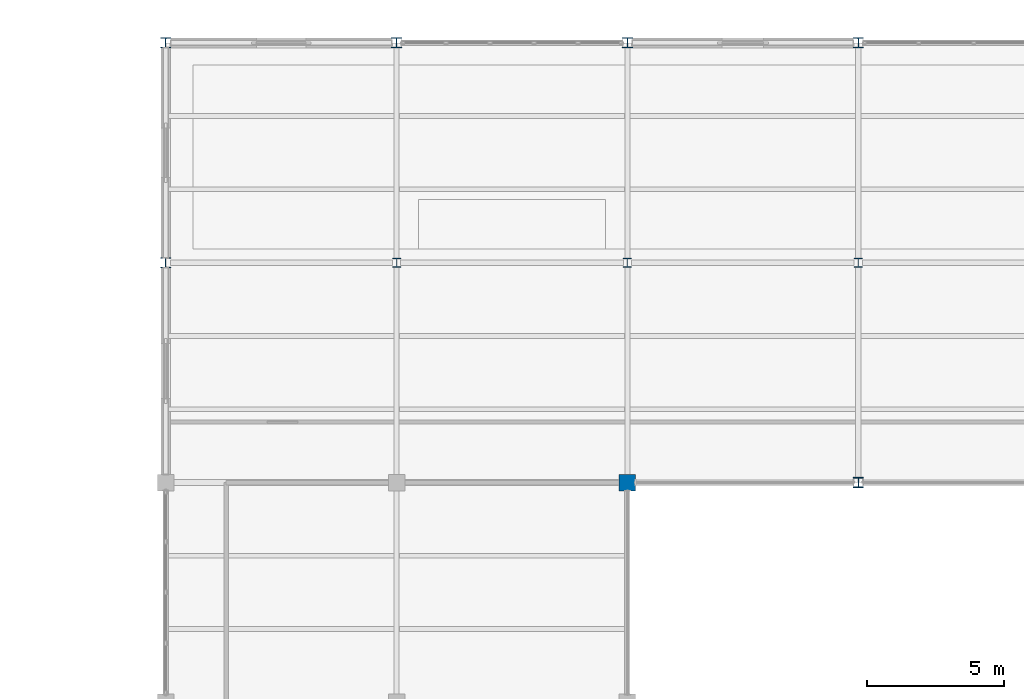
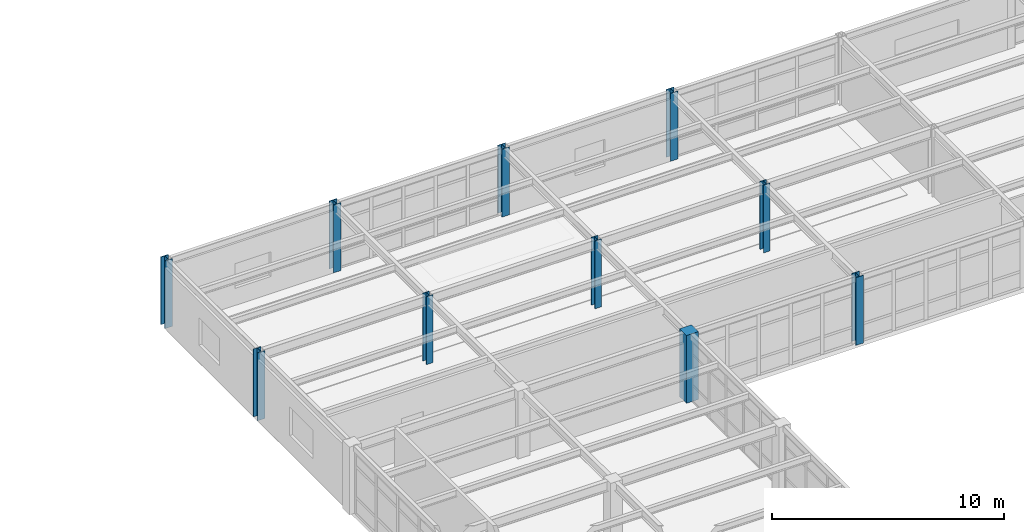
# One storey, part 7 of 96: 10 columns.
"""IFC4 building model written with IfcOpenShell, lengths in metres."""

from ifc_helpers import new_model, si_unit, direction, frame, origin, origin_2d, place, context, subcontext, project, spatial, rectangle, i_section, extrude, material, material_profile, profile_set, type_object, element, save


model = new_model("IFC4")

# Units and contexts
model_context = context("Model", 3, precision=1e-05, world=origin(), true_north=direction((0.0, 1.0)))
body_context = subcontext(model_context, "Body", "Model", "MODEL_VIEW")
ifc_project = project(units=[si_unit("LENGTHUNIT", "METRE"), si_unit("AREAUNIT", "SQUARE_METRE"), si_unit("VOLUMEUNIT", "CUBIC_METRE"), si_unit("PLANEANGLEUNIT", "RADIAN"), si_unit("MASSUNIT", "GRAM", prefix="KILO")], contexts=[model_context])

# Site, building, storey
site_placement = place(None, origin())
site = spatial("IfcSite", under=ifc_project, at=site_placement, CompositionType="ELEMENT")
building_placement = place(site_placement, origin())
building = spatial("IfcBuilding", under=site, at=building_placement, Name="Kranzveld Transit Interchange", CompositionType="ELEMENT")
storey_placement = place(building_placement, frame((0.0, 0.0, 9.52001953125)))
storey = spatial("IfcBuildingStorey", under=building, at=storey_placement, Name="L02", CompositionType="ELEMENT", Elevation=9.52001953125)

# Columns
ifc_material_1 = material(Name="Concrete C35/45", Category="concrete")
ifc_material_profile_1 = material_profile(ifc_material_1, rectangle(XDim=0.60009765625, YDim=0.60009765625, at=origin_2d()), Name="RC 600x600")
ifc_profile_set_1 = profile_set([ifc_material_profile_1], Name="Concrete C35/45")
column_type_1 = type_object("IfcColumnType", Name="Column RC 600x600 C35/45", PredefinedType="COLUMN", material=ifc_profile_set_1)
column_placement = place(storey_placement, frame((117.60009765625, 96.0, 0.0), z_axis=(0.0, 0.0, 1.0), x_axis=(1.0, 0.0, 0.0)))
element("IfcColumn", 1, at=column_placement, inside=storey, type_object=column_type_1, Name="L02 Column 15/N", PredefinedType="COLUMN", context=body_context, shape_type="SweptSolid", body=[
    extrude(rectangle(XDim=0.60009765625, YDim=0.60009765625, at=origin_2d()), origin(), (0.0, 0.0, 1.0), 3.570068359375),
])
ifc_material_2 = material(Name="Steel S355JR", Category="steel")
ifc_material_profile_2 = material_profile(ifc_material_2, i_section(OverallWidth=0.314453125, OverallDepth=0.33984375, WebThickness=0.01904296875, FlangeThickness=0.031494140625, FilletRadius=0.01513671875, at=origin_2d()), Name="UC 305x305x198")
ifc_profile_set_2 = profile_set([ifc_material_profile_2], Name="Steel S355JR")
column_type_2 = type_object("IfcColumnType", Name="Column Steel UC 305x305x198 S355JR", PredefinedType="COLUMN", material=ifc_profile_set_2)
for number, where, z_axis, x_axis, name in (
    (2, (109.199951171875, 104.0, 0.0), (0.0, 0.0, 1.0), (1.0, 0.0, 0.0), "L02 Column 14/P"),
    (3, (117.60009765625, 104.0, 0.0), (0.0, 0.0, 1.0), (1.0, 0.0, 0.0), "L02 Column 15/P"),
    (4, (126.0, 104.0, 0.0), (0.0, 0.0, 1.0), (1.0, 0.0, 0.0), "L02 Column 16/P"),
):
    element("IfcColumn", number, at=place(storey_placement, frame(where, z_axis=z_axis, x_axis=x_axis)), inside=storey, type_object=column_type_2, Name=name, PredefinedType="COLUMN", context=body_context, shape_type="SweptSolid", body=[
        extrude(i_section(OverallWidth=0.314453125, OverallDepth=0.33984375, WebThickness=0.01904296875, FlangeThickness=0.031494140625, FilletRadius=0.01513671875, at=origin_2d()), origin(), (0.0, 0.0, 1.0), 3.570068359375),
    ])
ifc_material_3 = material(Name="Steel S355JR", Category="steel")
ifc_material_profile_3 = material_profile(ifc_material_3, i_section(OverallWidth=0.374755859375, OverallDepth=0.37451171875, WebThickness=0.0166015625, FlangeThickness=0.027099609375, FilletRadius=0.01513671875, at=origin_2d()), Name="UC 356x368x202")
ifc_profile_set_3 = profile_set([ifc_material_profile_3], Name="Steel S355JR")
column_type_3 = type_object("IfcColumnType", Name="Column Steel UC 356x368x202 S355JR", PredefinedType="COLUMN", material=ifc_profile_set_3)
for number, where, z_axis, x_axis, name in (
    (5, (100.800048828125, 104.0, 0.0), (0.0, 0.0, 1.0), (1.0, 0.0, 0.0), "L02 Column 13/P"),
    (6, (100.800048828125, 112.0, 0.0), (0.0, 0.0, 1.0), (1.0, 0.0, 0.0), "L02 Column 13/Q"),
    (7, (109.199951171875, 112.0, 0.0), (0.0, 0.0, 1.0), (1.0, 0.0, 0.0), "L02 Column 14/Q"),
    (8, (117.60009765625, 112.0, 0.0), (0.0, 0.0, 1.0), (1.0, 0.0, 0.0), "L02 Column 15/Q"),
    (9, (126.0, 96.0, 0.0), (0.0, 0.0, 1.0), (1.0, 0.0, 0.0), "L02 Column 16/N"),
    (10, (126.0, 112.0, 0.0), (0.0, 0.0, 1.0), (1.0, 0.0, 0.0), "L02 Column 16/Q"),
):
    element("IfcColumn", number, at=place(storey_placement, frame(where, z_axis=z_axis, x_axis=x_axis)), inside=storey, type_object=column_type_3, Name=name, PredefinedType="COLUMN", context=body_context, shape_type="SweptSolid", body=[
        extrude(i_section(OverallWidth=0.374755859375, OverallDepth=0.37451171875, WebThickness=0.0166015625, FlangeThickness=0.027099609375, FilletRadius=0.01513671875, at=origin_2d()), origin(), (0.0, 0.0, 1.0), 3.570068359375),
    ])

save(model, "model.ifc")
